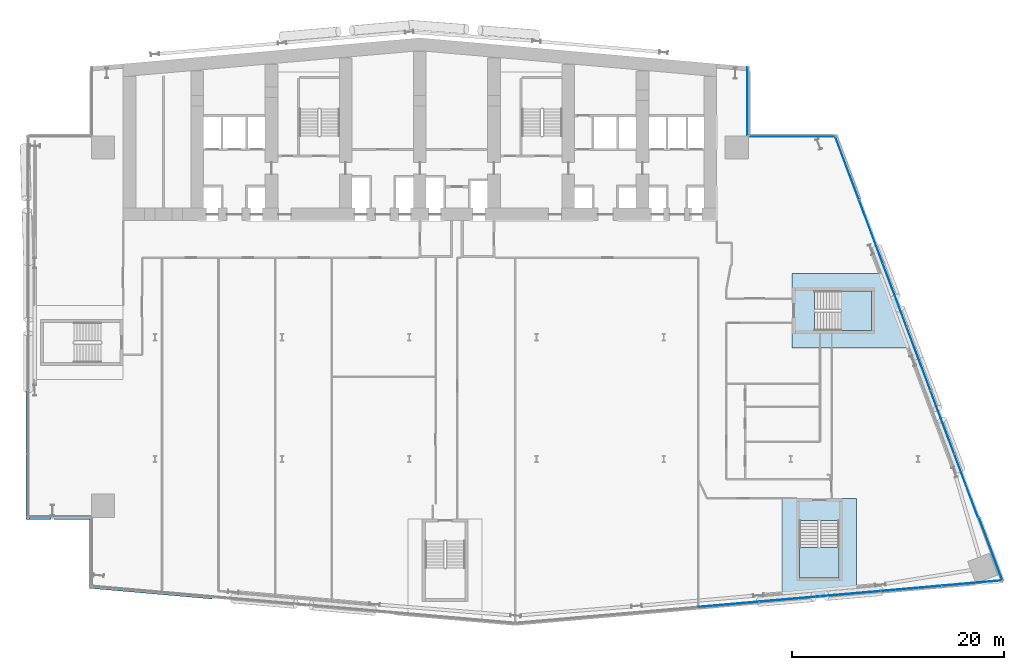
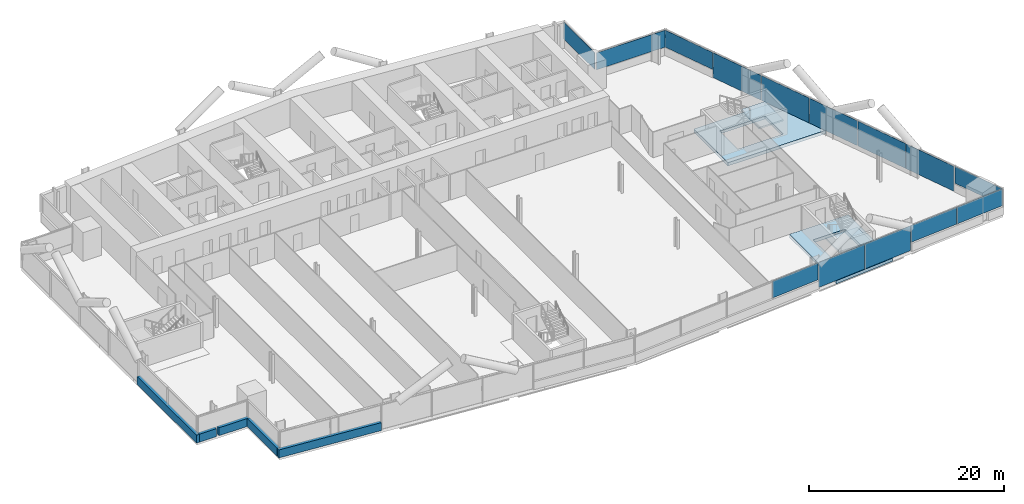
# One storey, part 12 of 24: 14 plates, 5 walls, 4 slabs, 6 elements without a shape of their own.
"""IFC4 building model written with IfcOpenShell, lengths in metres."""

import ifcopenshell
import ifcopenshell.guid

model = None  # the IFC model being written
_history = None  # IfcOwnerHistory: only IFC2X3 demands one
_inside = {}  # id of a spatial element -> (the spatial element, [elements in it])
_under = {}  # id of a project, library or spatial element -> (it, [spatial elements below it])
_declared = {}  # id of a project -> (the project, [libraries it declares])
_typed = {}  # id of a type object -> (the type object, [elements of that type])
_made_of = {}  # id of a material, layer set ... -> (it, [elements and type objects made of it])


def new_model(schema):
    """Start an empty IFC model of exactly this schema.

    Asked for "IFC4X3", IfcOpenShell would pick the latest addendum, in which some entities
    have other attributes; the version numbers below select the first issue.
    IFC2X3 requires an IfcOwnerHistory on every rooted entity: one is made here for all.
    """
    global model, _history
    if schema == "IFC4X3":
        model = ifcopenshell.file(schema_version=(4, 3, 0, 0))
    else:
        model = ifcopenshell.file(schema=schema)
    _inside.clear()
    _under.clear()
    _declared.clear()
    _typed.clear()
    _made_of.clear()
    _history = None
    if model.schema == "IFC2X3":
        org = make("IfcOrganization", Name="unknown")
        user = make(
            "IfcPersonAndOrganization",
            ThePerson=make("IfcPerson", FamilyName="unknown"),
            TheOrganization=org,
        )
        app = make(
            "IfcApplication",
            ApplicationDeveloper=org,
            Version="unknown",
            ApplicationFullName="unknown",
            ApplicationIdentifier="unknown",
        )
        _history = make(
            "IfcOwnerHistory",
            OwningUser=user,
            OwningApplication=app,
            ChangeAction="ADDED",
            CreationDate=0,
        )
    return model


def make(cls, **values):
    """One entity of the class cls with the attributes given. An attribute that is None is left unset."""
    return model.create_entity(
        cls, **{name: value for name, value in values.items() if value is not None}
    )


def rooted(cls, **values):
    """An entity with a GlobalId (a new one), such as an element, a storey or a relation."""
    return make(cls, GlobalId=ifcopenshell.guid.new(), OwnerHistory=_history, **values)


def si_unit(unit_type, name, prefix=None):
    """IfcSIUnit, for example si_unit("LENGTHUNIT", "METRE", prefix="MILLI")."""
    return make("IfcSIUnit", UnitType=unit_type, Prefix=prefix, Name=name)


def assignment(units):
    """IfcUnitAssignment: the units of a project."""
    return None if units is None else make("IfcUnitAssignment", Units=units)


def point(xyz):
    """IfcCartesianPoint."""
    return None if xyz is None else make("IfcCartesianPoint", Coordinates=xyz)


def direction(xyz):
    """IfcDirection."""
    return None if xyz is None else make("IfcDirection", DirectionRatios=xyz)


def frame(location, z_axis=None, x_axis=None):
    """IfcAxis2Placement3D, a coordinate frame: its origin and axes. An axis left out is left unset."""
    return make(
        "IfcAxis2Placement3D",
        Location=point(location),
        Axis=direction(z_axis),
        RefDirection=direction(x_axis),
    )


def frame_2d(location, x_axis=None):
    """IfcAxis2Placement2D, a coordinate frame in the plane: its origin and x axis."""
    return make(
        "IfcAxis2Placement2D", Location=point(location), RefDirection=direction(x_axis)
    )


def origin():
    """The frame at (0, 0, 0) with its axes left unset."""
    return frame((0.0, 0.0, 0.0))


def origin_2d():
    """The frame at (0, 0) in the plane with its x axis left unset."""
    return frame_2d((0.0, 0.0))


def place(relative_to, where):
    """IfcLocalPlacement: puts the frame where relative to a parent placement (None: the world)."""
    return make(
        "IfcLocalPlacement", PlacementRelTo=relative_to, RelativePlacement=where
    )


def context(
    kind, dimensions, precision=None, world=None, true_north=None, identifier=None
):
    """IfcGeometricRepresentationContext, for example the 3D "Model" context."""
    return make(
        "IfcGeometricRepresentationContext",
        ContextIdentifier=identifier,
        ContextType=kind,
        CoordinateSpaceDimension=dimensions,
        Precision=precision,
        WorldCoordinateSystem=world,
        TrueNorth=true_north,
    )


def subcontext(parent, identifier, kind, view, scale=None):
    """IfcGeometricRepresentationSubContext, for example "Body" below "Model"."""
    return make(
        "IfcGeometricRepresentationSubContext",
        ContextIdentifier=identifier,
        ContextType=kind,
        ParentContext=parent,
        TargetScale=scale,
        TargetView=view,
    )


def project(units=None, contexts=None):
    """IfcProject with its units and contexts."""
    return rooted(
        "IfcProject",
        Name="project",
        RepresentationContexts=contexts,
        UnitsInContext=assignment(units),
    )


def spatial(cls, under=None, at=None, **own):
    """A site, building, storey or space (cls), placed at a placement, below another one or the project."""
    s = rooted(cls, ObjectPlacement=at, **own)
    if under is not None:
        _under.setdefault(under.id(), (under, []))[1].append(s)
    return s


def polyline(points):
    """IfcPolyline through the points."""
    return make("IfcPolyline", Points=[point(p) for p in points])


def profile(cls, at=None, kind="AREA", **sizes):
    """A parametric profile (cls). Its sizes go by their IFC names, for example OverallWidth=200.0."""
    return make(cls, ProfileType=kind, Position=at, **sizes)


def rectangle(**sizes):
    """IfcRectangleProfileDef."""
    return profile("IfcRectangleProfileDef", **sizes)


def outline(outer, holes=None, kind="AREA"):
    """IfcArbitraryClosedProfileDef: a profile drawn as a closed curve; with holes, ...WithVoids."""
    if holes is None:
        return make("IfcArbitraryClosedProfileDef", ProfileType=kind, OuterCurve=outer)
    return make(
        "IfcArbitraryProfileDefWithVoids",
        ProfileType=kind,
        OuterCurve=outer,
        InnerCurves=holes,
    )


def extrude(swept, where, along, depth):
    """IfcExtrudedAreaSolid: the profile swept, set in the frame where, extruded along a direction by depth."""
    return make(
        "IfcExtrudedAreaSolid",
        SweptArea=swept,
        Position=where,
        ExtrudedDirection=direction(along),
        Depth=depth,
    )


def shape(context_of_items, identifier, shape_type, items):
    """IfcShapeRepresentation: the items that make up one representation, for example the "Body"."""
    return make(
        "IfcShapeRepresentation",
        ContextOfItems=context_of_items,
        RepresentationIdentifier=identifier,
        RepresentationType=shape_type,
        Items=items,
    )


def material(Name=None, Category=None):
    """IfcMaterial."""
    return make("IfcMaterial", Name=Name, Category=Category)


def layer(
    of_material, thickness, ventilated=None, Name=None, Category=None, Priority=None
):
    """IfcMaterialLayer: one layer of a wall or slab, of a material (None: an air gap)."""
    return make(
        "IfcMaterialLayer",
        Material=of_material,
        LayerThickness=thickness,
        IsVentilated=ventilated,
        Name=Name,
        Category=Category,
        Priority=Priority,
    )


def layer_set(layers, Name=None):
    """IfcMaterialLayerSet."""
    return make("IfcMaterialLayerSet", MaterialLayers=layers, LayerSetName=Name)


def made_of(thing, what):
    """Note that an element or type object is made of a material, layer set ...; save() writes the relation."""
    if what is not None:
        _made_of.setdefault(what.id(), (what, []))[1].append(thing)
    return thing


def type_object(cls, material=None, **own):
    """A type object (cls), such as IfcWallType, which elements share."""
    return made_of(rooted(cls, **own), material)


def element(
    cls,
    number,
    at=None,
    inside=None,
    cuts=None,
    type_object=None,
    material=None,
    context=None,
    identifier="Body",
    shape_type=None,
    held_by="IfcProductDefinitionShape",
    body=None,
    shapes=None,
    **own,
):
    """One element of the class cls, such as IfcWall. Its Tag is "e" and its number.

    at: its placement. inside: the storey or other place that contains it. cuts: it is an
    opening in that element (IfcRelVoidsElement). A single representation is given by context,
    identifier, shape_type and body (its items); several are given by shapes. held_by: the class
    of the entity that holds the representations. save() writes the other relations.
    """
    e = rooted(cls, Tag="e%d" % number, ObjectPlacement=at, **own)
    if body is not None:
        shapes = [shape(context, identifier, shape_type, body)]
    if shapes is not None:
        e.Representation = make(held_by, Representations=shapes)
    if inside is not None:
        _inside.setdefault(inside.id(), (inside, []))[1].append(e)
    if cuts is not None:
        rooted(
            "IfcRelVoidsElement", RelatingBuildingElement=cuts, RelatedOpeningElement=e
        )
    if type_object is not None:
        _typed.setdefault(type_object.id(), (type_object, []))[1].append(e)
    return made_of(e, material)


def aggregate(whole, parts):
    """IfcRelAggregates: a whole, such as a stair, and the parts it consists of."""
    return rooted("IfcRelAggregates", RelatingObject=whole, RelatedObjects=parts)


def save(model, path):
    """Write the relations noted so far, then the file.

    IfcRelAggregates (storeys below a building ...), IfcRelContainedInSpatialStructure (elements
    in a storey), IfcRelDefinesByType, IfcRelAssociatesMaterial and IfcRelDeclares: one each for
    every whole, place, type object, material and project.
    """
    for whole, parts in _under.values():
        aggregate(whole, parts)
    for where, things in _inside.values():
        rooted(
            "IfcRelContainedInSpatialStructure",
            RelatedElements=things,
            RelatingStructure=where,
        )
    for kind, things in _typed.values():
        rooted("IfcRelDefinesByType", RelatedObjects=things, RelatingType=kind)
    for what, things in _made_of.values():
        rooted("IfcRelAssociatesMaterial", RelatedObjects=things, RelatingMaterial=what)
    for by, libraries in _declared.values():
        rooted("IfcRelDeclares", RelatingContext=by, RelatedDefinitions=libraries)
    model.write(path)


model = new_model("IFC4")

# Units and contexts
model_context = context("Model", 3, precision=1e-05, world=origin(), true_north=direction((0.0, 1.0)))
body_context = subcontext(model_context, "Body", "Model", "MODEL_VIEW")
ifc_project = project(units=[si_unit("LENGTHUNIT", "METRE"), si_unit("AREAUNIT", "SQUARE_METRE"), si_unit("VOLUMEUNIT", "CUBIC_METRE"), si_unit("PLANEANGLEUNIT", "RADIAN"), si_unit("MASSUNIT", "GRAM", prefix="KILO")], contexts=[model_context])

# Site, building, storey
site_placement = place(None, origin())
site = spatial("IfcSite", under=ifc_project, at=site_placement, CompositionType="ELEMENT")
building_placement = place(site_placement, origin())
building = spatial("IfcBuilding", under=site, at=building_placement, Name="Wharfspan Tower", CompositionType="ELEMENT")
storey_placement = place(building_placement, frame((0.0, 0.0, 66.699951)))
storey = spatial("IfcBuildingStorey", under=building, at=storey_placement, Name="L13", CompositionType="ELEMENT", Elevation=66.699951)

# Curtain wall, plates
ifc_material_1 = material(Name="Aluminium 6063-T6", Category="aluminium")
curtain_wall_type_1 = type_object("IfcCurtainWallType", Name="CURTAIN WALL FACETED FRONT", PredefinedType="NOTDEFINED", material=ifc_material_1)
curtain_wall_1_placement = place(storey_placement, origin())
curtain_wall_1 = element("IfcCurtainWall", 1, at=curtain_wall_1_placement, inside=storey, type_object=curtain_wall_type_1, Name="Curtain wall S2", PredefinedType="NOTDEFINED")
ifc_material_2 = material(Name="Glass clear low-iron double glazing", Category="glass")
ifc_layer_1 = layer(ifc_material_2, 0.040039)
ifc_layer_set_1 = layer_set([ifc_layer_1], Name="Glass clear low-iron double glazing")
plate_type_1 = type_object("IfcPlateType", Name="GLASS PANEL FACETED FRONT 40", PredefinedType="CURTAIN_PANEL", material=ifc_layer_set_1)
plate_1_placement = place(storey_placement, frame((66.119873, -2.204102, 1.0), z_axis=(0.0, 0.0, 1.0), x_axis=(0.996197, 0.087156, 0.0)))
plate_1 = element("IfcPlate", 2, at=plate_1_placement, type_object=plate_type_1, Name="Curtain wall S2 panel 4", PredefinedType="CURTAIN_PANEL", context=body_context, shape_type="SweptSolid", body=[
    extrude(rectangle(XDim=5.711914, YDim=0.040039, at=origin_2d()), origin(), (0.0, 0.0, 1.0), 2.120117),
])
plate_2_placement = place(storey_placement, frame((83.369873, -0.694824, 1.0), z_axis=(0.0, 0.0, 1.0), x_axis=(0.996197, 0.087156, 0.0)))
plate_2 = element("IfcPlate", 3, at=plate_2_placement, type_object=plate_type_1, Name="Curtain wall S2 panel 7", PredefinedType="CURTAIN_PANEL", context=body_context, shape_type="SweptSolid", body=[
    extrude(rectangle(XDim=5.711914, YDim=0.040039, at=origin_2d()), origin(), (0.0, 0.0, 1.0), 2.120117),
])
plate_3_placement = place(storey_placement, frame((89.104736, -0.193115, 1.0), z_axis=(0.0, 0.0, 1.0), x_axis=(0.996197, 0.087156, 0.0)))
plate_3 = element("IfcPlate", 4, at=plate_3_placement, type_object=plate_type_1, Name="Curtain wall S2 panel 8", PredefinedType="CURTAIN_PANEL", context=body_context, shape_type="SweptSolid", body=[
    extrude(rectangle(XDim=5.681885, YDim=0.040039, at=origin_2d()), origin(), (0.0, 0.0, 1.0), 2.120117),
])

curtain_wall_type_2 = type_object("IfcCurtainWallType", Name="CURTAIN WALL PROW AND END", PredefinedType="NOTDEFINED", material=ifc_material_1)
curtain_wall_2_placement = place(storey_placement, origin())
curtain_wall_2 = element("IfcCurtainWall", 5, at=curtain_wall_2_placement, inside=storey, type_object=curtain_wall_type_2, Name="Curtain wall E", PredefinedType="NOTDEFINED")
ifc_layer_2 = layer(ifc_material_2, 0.040039)
ifc_layer_set_2 = layer_set([ifc_layer_2], Name="Glass clear low-iron double glazing")
plate_type_2 = type_object("IfcPlateType", Name="GLASS PANEL PROW AND END 40", PredefinedType="CURTAIN_PANEL", material=ifc_layer_set_2)
plate_4_placement = place(storey_placement, frame((90.869629, 3.01416, 1.0), z_axis=(0.0, 0.0, 1.0), x_axis=(-0.351123, 0.936328, 0.0)))
plate_4 = element("IfcPlate", 6, at=plate_4_placement, type_object=plate_type_2, Name="Curtain wall E panel 1", PredefinedType="CURTAIN_PANEL", context=body_context, shape_type="SweptSolid", body=[
    extrude(rectangle(XDim=6.318115, YDim=0.040039, at=origin_2d()), origin(), (0.0, 0.0, 1.0), 2.120117),
])
plate_5_placement = place(storey_placement, frame((77.30542, 38.957764, 1.0), z_axis=(0.0, 0.0, 1.0), x_axis=(-0.351123, 0.936328, 0.0)))
plate_5 = element("IfcPlate", 7, at=plate_5_placement, type_object=plate_type_2, Name="Curtain wall E panel 7", PredefinedType="CURTAIN_PANEL", context=body_context, shape_type="SweptSolid", body=[
    extrude(rectangle(XDim=6.318115, YDim=0.040039, at=origin_2d()), origin(), (0.0, 0.0, 1.0), 2.120117),
])

# Curtain wall, plate
curtain_wall_3_placement = place(storey_placement, origin())
curtain_wall_3 = element("IfcCurtainWall", 8, at=curtain_wall_3_placement, inside=storey, type_object=curtain_wall_type_2, Name="Curtain wall NRE-H", PredefinedType="NOTDEFINED")
plate_6_placement = place(storey_placement, frame((72.125, 41.919922, 1.0), z_axis=(0.0, 0.0, 1.0), x_axis=(-1.0, 0.0, 0.0)))
plate_6 = element("IfcPlate", 9, at=plate_6_placement, type_object=plate_type_2, Name="Curtain wall NRE-H panel 1", PredefinedType="CURTAIN_PANEL", context=body_context, shape_type="SweptSolid", body=[
    extrude(rectangle(XDim=8.129883, YDim=0.040039, at=origin_2d()), origin(), (0.0, 0.0, 1.0), 2.120117),
])
aggregate(curtain_wall_3, [plate_6])

curtain_wall_4_placement = place(storey_placement, origin())
curtain_wall_4 = element("IfcCurtainWall", 10, at=curtain_wall_4_placement, inside=storey, type_object=curtain_wall_type_2, Name="Curtain wall NRE-V", PredefinedType="NOTDEFINED")
plate_7_placement = place(storey_placement, frame((67.919922, 45.262451, 1.0), z_axis=(0.0, 0.0, 1.0), x_axis=(0.0, 1.0, 0.0)))
plate_7 = element("IfcPlate", 11, at=plate_7_placement, type_object=plate_type_2, Name="Curtain wall NRE-V panel 1", PredefinedType="CURTAIN_PANEL", context=body_context, shape_type="SweptSolid", body=[
    extrude(rectangle(XDim=6.405029, YDim=0.040039, at=origin_2d()), origin(), (0.0, 0.0, 1.0), 2.120117),
])
aggregate(curtain_wall_4, [plate_7])

# Plate
ifc_material_3 = material(Name="Aluminium composite opaque insulated panel", Category="aluminium")
ifc_layer_3 = layer(ifc_material_3, 0.040039)
ifc_layer_set_3 = layer_set([ifc_layer_3], Name="Aluminium composite opaque insulated panel")
plate_type_3 = type_object("IfcPlateType", Name="INFILL PANEL FACETED FRONT OPAQUE 40", PredefinedType="SHEET", material=ifc_layer_set_3)
plate_8_placement = place(storey_placement, frame((71.869873, -1.700928, 0.0), z_axis=(0.0, 0.0, 1.0), x_axis=(0.996197, 0.087156, 0.0)))
plate_8 = element("IfcPlate", 12, at=plate_8_placement, type_object=plate_type_3, Name="Curtain wall S2 panel 5", PredefinedType="SHEET", context=body_context, shape_type="SweptSolid", body=[
    extrude(rectangle(XDim=5.711914, YDim=0.040039, at=origin_2d()), origin(), (0.0, 0.0, 1.0), 3.120117),
])

plate_9_placement = place(storey_placement, frame((77.619873, -1.197998, 0.0), z_axis=(0.0, 0.0, 1.0), x_axis=(0.996197, 0.087156, 0.0)))
plate_9 = element("IfcPlate", 13, at=plate_9_placement, type_object=plate_type_3, Name="Curtain wall S2 panel 6", PredefinedType="SHEET", context=body_context, shape_type="SweptSolid", body=[
    extrude(rectangle(XDim=5.711914, YDim=0.040039, at=origin_2d()), origin(), (0.0, 0.0, 1.0), 3.120117),
])

aggregate(curtain_wall_1, [plate_1, plate_8, plate_9, plate_2, plate_3])

ifc_layer_4 = layer(ifc_material_3, 0.040039)
ifc_layer_set_4 = layer_set([ifc_layer_4], Name="Aluminium composite opaque insulated panel")
plate_type_4 = type_object("IfcPlateType", Name="INFILL PANEL PROW AND END OPAQUE 40", PredefinedType="SHEET", material=ifc_layer_set_4)
plate_10_placement = place(storey_placement, frame((88.550049, 8.971924, 0.0), z_axis=(0.0, 0.0, 1.0), x_axis=(-0.351123, 0.936328, 0.0)))
plate_10 = element("IfcPlate", 14, at=plate_10_placement, type_object=plate_type_4, Name="Curtain wall E panel 2", PredefinedType="SHEET", context=body_context, shape_type="SweptSolid", body=[
    extrude(rectangle(XDim=6.3479, YDim=0.040039, at=origin_2d()), origin(), (0.0, 0.0, 1.0), 3.120117),
])

plate_11_placement = place(storey_placement, frame((86.300049, 14.971924, 0.0), z_axis=(0.0, 0.0, 1.0), x_axis=(-0.351123, 0.936328, 0.0)))
plate_11 = element("IfcPlate", 15, at=plate_11_placement, type_object=plate_type_4, Name="Curtain wall E panel 3", PredefinedType="SHEET", context=body_context, shape_type="SweptSolid", body=[
    extrude(rectangle(XDim=6.3479, YDim=0.040039, at=origin_2d()), origin(), (0.0, 0.0, 1.0), 3.120117),
])

plate_12_placement = place(storey_placement, frame((84.050049, 20.971924, 0.0), z_axis=(0.0, 0.0, 1.0), x_axis=(-0.351123, 0.936328, 0.0)))
plate_12 = element("IfcPlate", 16, at=plate_12_placement, type_object=plate_type_4, Name="Curtain wall E panel 4", PredefinedType="SHEET", context=body_context, shape_type="SweptSolid", body=[
    extrude(rectangle(XDim=6.3479, YDim=0.040039, at=origin_2d()), origin(), (0.0, 0.0, 1.0), 3.120117),
])

plate_13_placement = place(storey_placement, frame((81.800049, 26.971924, 0.0), z_axis=(0.0, 0.0, 1.0), x_axis=(-0.351123, 0.936328, 0.0)))
plate_13 = element("IfcPlate", 17, at=plate_13_placement, type_object=plate_type_4, Name="Curtain wall E panel 5", PredefinedType="SHEET", context=body_context, shape_type="SweptSolid", body=[
    extrude(rectangle(XDim=6.3479, YDim=0.040039, at=origin_2d()), origin(), (0.0, 0.0, 1.0), 3.120117),
])

plate_14_placement = place(storey_placement, frame((79.550049, 32.971924, 0.0), z_axis=(0.0, 0.0, 1.0), x_axis=(-0.351123, 0.936328, 0.0)))
plate_14 = element("IfcPlate", 18, at=plate_14_placement, type_object=plate_type_4, Name="Curtain wall E panel 6", PredefinedType="SHEET", context=body_context, shape_type="SweptSolid", body=[
    extrude(rectangle(XDim=6.3479, YDim=0.040039, at=origin_2d()), origin(), (0.0, 0.0, 1.0), 3.120117),
])

aggregate(curtain_wall_2, [plate_4, plate_10, plate_11, plate_12, plate_13, plate_14, plate_5])

# Slabs
ifc_material_4 = material(Name="Concrete C40/50", Category="concrete")
ifc_layer_5 = layer(ifc_material_4, 0.399902)
ifc_layer_set_5 = layer_set([ifc_layer_5], Name="Concrete C40/50")
slab_type_1 = type_object("IfcSlabType", Name="Post-tensioned flat slab 400", PredefinedType="FLOOR", material=ifc_layer_set_5)
slab_1_placement = place(storey_placement, frame((0.0, 0.0, -0.400146)))
element("IfcSlab", 19, at=slab_1_placement, inside=storey, type_object=slab_type_1, Name="Core floor slab L13 part 5", PredefinedType="FLOOR", context=body_context, shape_type="SweptSolid", body=[
    extrude(outline(polyline([(78.192383, 7.791992), (76.867432, 7.791992), (72.517578, 7.791992), (71.192383, 7.791992), (71.192383, -1.820312), (78.192383, -1.208008), (78.192383, 7.791992)]), holes=[polyline([(76.567383, 5.694092), (76.567627, 5.694092), (76.567871, 5.694092), (76.568115, 5.693848), (76.568115, 5.693848), (76.568359, 5.693848), (76.568604, 5.693604), (76.568604, 5.693604), (76.568848, 5.693359), (76.569092, 5.693359), (76.569092, 5.693115), (76.569092, 5.692871), (76.569336, 5.692871), (76.569336, 5.692627), (76.569336, 5.692383), (76.56958, 5.692139), (76.56958, 5.691895), (76.56958, 0.291992), (76.56958, 0.291748), (76.569336, 0.291504), (76.569336, 0.291504), (76.569336, 0.29126), (76.569092, 0.291016), (76.569092, 0.291016), (76.569092, 0.290771), (76.568848, 0.290527), (76.568604, 0.290527), (76.568604, 0.290283), (76.568359, 0.290283), (76.568115, 0.290283), (76.568115, 0.290039), (76.567871, 0.290039), (76.567627, 0.290039), (76.567383, 0.290039), (72.817383, 0.290039), (72.817383, 0.290039), (72.817139, 0.290039), (72.816895, 0.290039), (72.81665, 0.290283), (72.816406, 0.290283), (72.816406, 0.290283), (72.816162, 0.290527), (72.816162, 0.290527), (72.815918, 0.290771), (72.815918, 0.291016), (72.815674, 0.291016), (72.815674, 0.29126), (72.815674, 0.291504), (72.81543, 0.291504), (72.81543, 0.291748), (72.81543, 0.291992), (72.81543, 5.691895), (72.81543, 5.692139), (72.81543, 5.692383), (72.815674, 5.692627), (72.815674, 5.692871), (72.815674, 5.692871), (72.815918, 5.693115), (72.815918, 5.693359), (72.816162, 5.693359), (72.816162, 5.693604), (72.816406, 5.693604), (72.816406, 5.693848), (72.81665, 5.693848), (72.816895, 5.693848), (72.817139, 5.694092), (72.817383, 5.694092), (72.817383, 5.694092), (76.567383, 5.694092)])]), origin(), (0.0, 0.0, 1.0), 0.400146),
])
slab_2_placement = place(storey_placement, frame((0.0, 0.0, -0.400146)))
element("IfcSlab", 20, at=slab_2_placement, inside=storey, type_object=slab_type_1, Name="Core floor slab L13 part 6", PredefinedType="FLOOR", context=body_context, shape_type="SweptSolid", body=[
    extrude(outline(polyline([(81.125, 29.0), (72.125, 29.0), (72.125, 27.675049), (72.125, 23.324951), (72.125, 22.0), (83.75, 22.0), (81.125, 29.0)]), holes=[polyline([(74.2229, 27.375), (74.2229, 27.375244), (74.2229, 27.375488), (74.223145, 27.375488), (74.223145, 27.375732), (74.223145, 27.375977), (74.223389, 27.376221), (74.223389, 27.376221), (74.223633, 27.376465), (74.223633, 27.376465), (74.223877, 27.376709), (74.224121, 27.376709), (74.224121, 27.376709), (74.224365, 27.376953), (74.224609, 27.376953), (74.224854, 27.376953), (74.225098, 27.376953), (79.625, 27.376953), (79.625244, 27.376953), (79.625488, 27.376953), (79.625488, 27.376953), (79.625732, 27.376709), (79.625977, 27.376709), (79.626221, 27.376709), (79.626221, 27.376465), (79.626465, 27.376465), (79.626465, 27.376221), (79.626709, 27.376221), (79.626709, 27.375977), (79.626709, 27.375732), (79.626953, 27.375488), (79.626953, 27.375488), (79.626953, 27.375244), (79.626953, 27.375), (79.626953, 23.625), (79.626953, 23.624756), (79.626953, 23.624512), (79.626953, 23.624512), (79.626709, 23.624268), (79.626709, 23.624023), (79.626709, 23.623779), (79.626465, 23.623779), (79.626465, 23.623535), (79.626221, 23.623535), (79.626221, 23.623291), (79.625977, 23.623291), (79.625732, 23.623291), (79.625488, 23.623047), (79.625488, 23.623047), (79.625244, 23.623047), (79.625, 23.623047), (74.225098, 23.623047), (74.224854, 23.623047), (74.224609, 23.623047), (74.224365, 23.623047), (74.224121, 23.623291), (74.224121, 23.623291), (74.223877, 23.623291), (74.223633, 23.623535), (74.223633, 23.623535), (74.223389, 23.623779), (74.223389, 23.623779), (74.223145, 23.624023), (74.223145, 23.624268), (74.223145, 23.624512), (74.2229, 23.624512), (74.2229, 23.624756), (74.2229, 23.625), (74.2229, 27.375)])]), origin(), (0.0, 0.0, 1.0), 0.400146),
])

# Stair, slab
stair_type = type_object("IfcStairType", Name="Half-turn stair 20 risers 180 mm", PredefinedType="HALF_TURN_STAIR", material=ifc_material_4)
stair_1_placement = place(storey_placement, origin())
stair_1 = element("IfcStair", 21, at=stair_1_placement, inside=storey, type_object=stair_type, Name="L13 stair ST5", PredefinedType="HALF_TURN_STAIR")
ifc_layer_6 = layer(ifc_material_4, 0.199951)
ifc_layer_set_6 = layer_set([ifc_layer_6], Name="Concrete C40/50")
slab_type_2 = type_object("IfcSlabType", Name="Stair landing 200", PredefinedType="LANDING", material=ifc_layer_set_6)
slab_3_placement = place(storey_placement, frame((0.0, 0.0, 1.599854)))
slab_3 = element("IfcSlab", 22, at=slab_3_placement, type_object=slab_type_2, Name="ST5 landing 1", PredefinedType="LANDING", context=body_context, shape_type="SweptSolid", body=[
    extrude(outline(polyline([(72.817383, 3.172119), (72.817383, 0.291992), (76.567383, 0.291992), (76.567383, 3.172119), (72.817383, 3.172119)])), origin(), (0.0, 0.0, 1.0), 0.200195),
])
aggregate(stair_1, [slab_3])

stair_2_placement = place(storey_placement, origin())
stair_2 = element("IfcStair", 23, at=stair_2_placement, inside=storey, type_object=stair_type, Name="L13 stair ST6", PredefinedType="HALF_TURN_STAIR")
slab_4_placement = place(storey_placement, frame((0.0, 0.0, 1.599854)))
slab_4 = element("IfcSlab", 24, at=slab_4_placement, type_object=slab_type_2, Name="ST6 landing 1", PredefinedType="LANDING", context=body_context, shape_type="SweptSolid", body=[
    extrude(outline(polyline([(76.745117, 23.625), (79.625, 23.625), (79.625, 27.375), (76.745117, 27.375), (76.745117, 23.625)])), origin(), (0.0, 0.0, 1.0), 0.200195),
])
aggregate(stair_2, [slab_4])

# Walls
ifc_layer_7 = layer(ifc_material_4, 0.350098)
ifc_layer_set_7 = layer_set([ifc_layer_7], Name="Concrete C40/50")
wall_type = type_object("IfcWallType", Name="SPANDREL EXPOSED CONCRETE 350", PredefinedType="SOLIDWALL", material=ifc_layer_set_7)
wall_1_placement = place(storey_placement, frame((5.835205, -0.515625, 0.0), z_axis=(0.0, 0.0, 1.0), x_axis=(0.996192, -0.087142, 0.0)))
element("IfcWall", 25, at=wall_1_placement, inside=storey, type_object=wall_type, Name="Spandrel upstand L13 S1 1", PredefinedType="SOLIDWALL", context=body_context, shape_type="SweptSolid", body=[
    extrude(rectangle(XDim=11.607178, YDim=0.350098, at=frame_2d((5.803711, 0.0))), origin(), (0.0, 0.0, 1.0), 1.0),
])
wall_2_placement = place(storey_placement, frame((-0.004883, 17.969971, 0.0), z_axis=(0.0, 0.0, 1.0), x_axis=(0.0, -1.0, 0.0)))
element("IfcWall", 26, at=wall_2_placement, inside=storey, type_object=wall_type, Name="Spandrel upstand L13 W", PredefinedType="SOLIDWALL", context=body_context, shape_type="SweptSolid", body=[
    extrude(rectangle(XDim=12.149902, YDim=0.350098, at=frame_2d((6.074951, 0.0))), origin(), (0.0, 0.0, 1.0), 1.0),
])
wall_3_placement = place(storey_placement, frame((0.169922, 5.995117, 0.0), z_axis=(0.0, 0.0, 1.0), x_axis=(1.0, 0.0, 0.0)))
element("IfcWall", 27, at=wall_3_placement, inside=storey, type_object=wall_type, Name="Spandrel upstand L13 NFW-H", PredefinedType="SOLIDWALL", context=body_context, shape_type="SweptSolid", body=[
    extrude(rectangle(XDim=2.010742, YDim=0.350098, at=frame_2d((1.005371, 0.0))), origin(), (0.0, 0.0, 1.0), 1.0),
])
wall_4_placement = place(storey_placement, frame((2.482666, 5.995117, 0.0), z_axis=(0.0, 0.0, 1.0), x_axis=(1.0, 0.0, 0.0)))
element("IfcWall", 28, at=wall_4_placement, inside=storey, type_object=wall_type, Name="Spandrel upstand L13 NFW-H 2", PredefinedType="SOLIDWALL", context=body_context, shape_type="SweptSolid", body=[
    extrude(rectangle(XDim=3.517334, YDim=0.350098, at=frame_2d((1.758789, 0.0))), origin(), (0.0, 0.0, 1.0), 1.0),
])
wall_5_placement = place(storey_placement, frame((5.995117, 5.820068, 0.0), z_axis=(0.0, 0.0, 1.0), x_axis=(0.0, -1.0, 0.0)))
element("IfcWall", 29, at=wall_5_placement, inside=storey, type_object=wall_type, Name="Spandrel upstand L13 NFW-V", PredefinedType="SOLIDWALL", context=body_context, shape_type="SweptSolid", body=[
    extrude(rectangle(XDim=6.161377, YDim=0.350098, at=frame_2d((3.080566, 0.0))), origin(), (0.0, 0.0, 1.0), 1.0),
])

save(model, "model.ifc")
